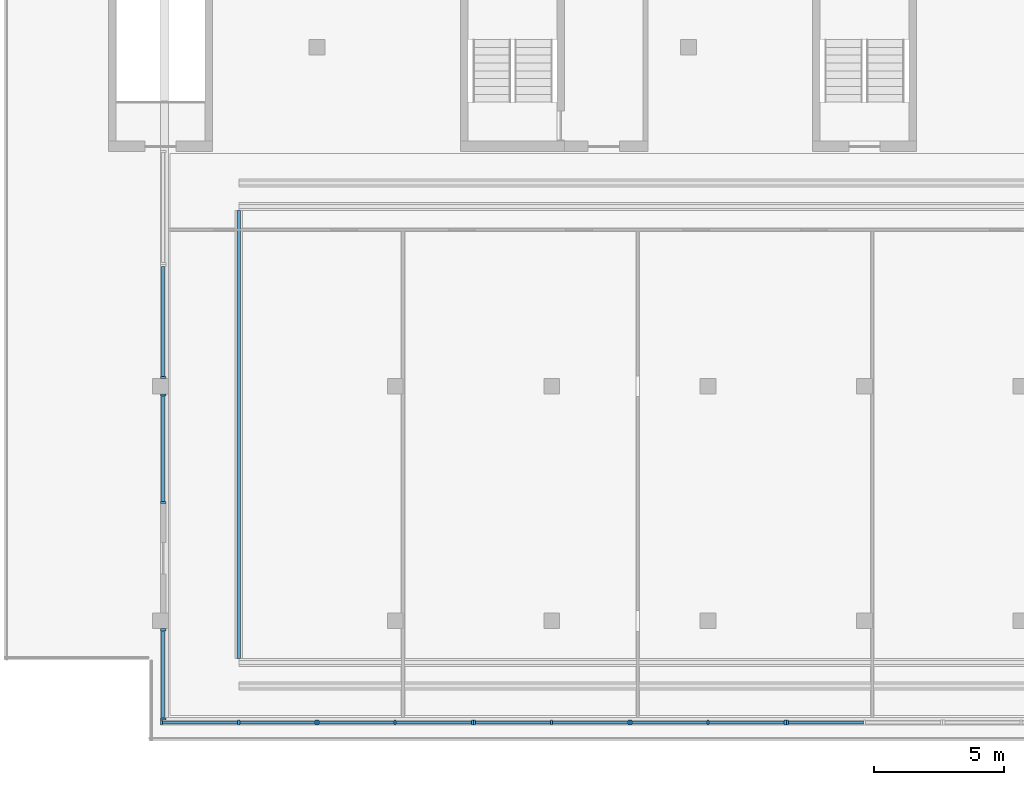
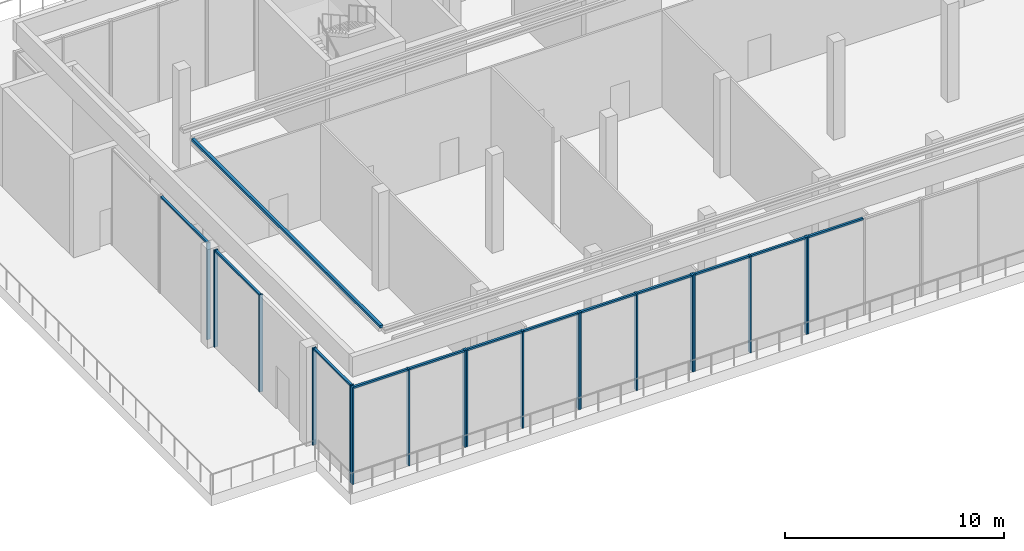
# One storey, part 2 of 11: 31 members, 8 elements without a shape of their own.
"""IFC4 building model written with IfcOpenShell, lengths in metres."""

import ifcopenshell
import ifcopenshell.guid

model = None  # the IFC model being written
_history = None  # IfcOwnerHistory: only IFC2X3 demands one
_inside = {}  # id of a spatial element -> (the spatial element, [elements in it])
_under = {}  # id of a project, library or spatial element -> (it, [spatial elements below it])
_declared = {}  # id of a project -> (the project, [libraries it declares])
_typed = {}  # id of a type object -> (the type object, [elements of that type])
_made_of = {}  # id of a material, layer set ... -> (it, [elements and type objects made of it])


def new_model(schema):
    """Start an empty IFC model of exactly this schema.

    Asked for "IFC4X3", IfcOpenShell would pick the latest addendum, in which some entities
    have other attributes; the version numbers below select the first issue.
    IFC2X3 requires an IfcOwnerHistory on every rooted entity: one is made here for all.
    """
    global model, _history
    if schema == "IFC4X3":
        model = ifcopenshell.file(schema_version=(4, 3, 0, 0))
    else:
        model = ifcopenshell.file(schema=schema)
    _inside.clear()
    _under.clear()
    _declared.clear()
    _typed.clear()
    _made_of.clear()
    _history = None
    if model.schema == "IFC2X3":
        org = make("IfcOrganization", Name="unknown")
        user = make(
            "IfcPersonAndOrganization",
            ThePerson=make("IfcPerson", FamilyName="unknown"),
            TheOrganization=org,
        )
        app = make(
            "IfcApplication",
            ApplicationDeveloper=org,
            Version="unknown",
            ApplicationFullName="unknown",
            ApplicationIdentifier="unknown",
        )
        _history = make(
            "IfcOwnerHistory",
            OwningUser=user,
            OwningApplication=app,
            ChangeAction="ADDED",
            CreationDate=0,
        )
    return model


def make(cls, **values):
    """One entity of the class cls with the attributes given. An attribute that is None is left unset."""
    return model.create_entity(
        cls, **{name: value for name, value in values.items() if value is not None}
    )


def rooted(cls, **values):
    """An entity with a GlobalId (a new one), such as an element, a storey or a relation."""
    return make(cls, GlobalId=ifcopenshell.guid.new(), OwnerHistory=_history, **values)


def si_unit(unit_type, name, prefix=None):
    """IfcSIUnit, for example si_unit("LENGTHUNIT", "METRE", prefix="MILLI")."""
    return make("IfcSIUnit", UnitType=unit_type, Prefix=prefix, Name=name)


def assignment(units):
    """IfcUnitAssignment: the units of a project."""
    return None if units is None else make("IfcUnitAssignment", Units=units)


def point(xyz):
    """IfcCartesianPoint."""
    return None if xyz is None else make("IfcCartesianPoint", Coordinates=xyz)


def direction(xyz):
    """IfcDirection."""
    return None if xyz is None else make("IfcDirection", DirectionRatios=xyz)


def frame(location, z_axis=None, x_axis=None):
    """IfcAxis2Placement3D, a coordinate frame: its origin and axes. An axis left out is left unset."""
    return make(
        "IfcAxis2Placement3D",
        Location=point(location),
        Axis=direction(z_axis),
        RefDirection=direction(x_axis),
    )


def frame_2d(location, x_axis=None):
    """IfcAxis2Placement2D, a coordinate frame in the plane: its origin and x axis."""
    return make(
        "IfcAxis2Placement2D", Location=point(location), RefDirection=direction(x_axis)
    )


def origin():
    """The frame at (0, 0, 0) with its axes left unset."""
    return frame((0.0, 0.0, 0.0))


def origin_2d():
    """The frame at (0, 0) in the plane with its x axis left unset."""
    return frame_2d((0.0, 0.0))


def place(relative_to, where):
    """IfcLocalPlacement: puts the frame where relative to a parent placement (None: the world)."""
    return make(
        "IfcLocalPlacement", PlacementRelTo=relative_to, RelativePlacement=where
    )


def context(
    kind, dimensions, precision=None, world=None, true_north=None, identifier=None
):
    """IfcGeometricRepresentationContext, for example the 3D "Model" context."""
    return make(
        "IfcGeometricRepresentationContext",
        ContextIdentifier=identifier,
        ContextType=kind,
        CoordinateSpaceDimension=dimensions,
        Precision=precision,
        WorldCoordinateSystem=world,
        TrueNorth=true_north,
    )


def subcontext(parent, identifier, kind, view, scale=None):
    """IfcGeometricRepresentationSubContext, for example "Body" below "Model"."""
    return make(
        "IfcGeometricRepresentationSubContext",
        ContextIdentifier=identifier,
        ContextType=kind,
        ParentContext=parent,
        TargetScale=scale,
        TargetView=view,
    )


def project(units=None, contexts=None):
    """IfcProject with its units and contexts."""
    return rooted(
        "IfcProject",
        Name="project",
        RepresentationContexts=contexts,
        UnitsInContext=assignment(units),
    )


def spatial(cls, under=None, at=None, **own):
    """A site, building, storey or space (cls), placed at a placement, below another one or the project."""
    s = rooted(cls, ObjectPlacement=at, **own)
    if under is not None:
        _under.setdefault(under.id(), (under, []))[1].append(s)
    return s


def profile(cls, at=None, kind="AREA", **sizes):
    """A parametric profile (cls). Its sizes go by their IFC names, for example OverallWidth=200.0."""
    return make(cls, ProfileType=kind, Position=at, **sizes)


def rectangle(**sizes):
    """IfcRectangleProfileDef."""
    return profile("IfcRectangleProfileDef", **sizes)


def extrude(swept, where, along, depth):
    """IfcExtrudedAreaSolid: the profile swept, set in the frame where, extruded along a direction by depth."""
    return make(
        "IfcExtrudedAreaSolid",
        SweptArea=swept,
        Position=where,
        ExtrudedDirection=direction(along),
        Depth=depth,
    )


def shape(context_of_items, identifier, shape_type, items):
    """IfcShapeRepresentation: the items that make up one representation, for example the "Body"."""
    return make(
        "IfcShapeRepresentation",
        ContextOfItems=context_of_items,
        RepresentationIdentifier=identifier,
        RepresentationType=shape_type,
        Items=items,
    )


def material(Name=None, Category=None):
    """IfcMaterial."""
    return make("IfcMaterial", Name=Name, Category=Category)


def material_profile(
    of_material, cross_section, Name=None, Category=None, Priority=None
):
    """IfcMaterialProfile: a cross section and its material."""
    return make(
        "IfcMaterialProfile",
        Name=Name,
        Material=of_material,
        Profile=cross_section,
        Priority=Priority,
        Category=Category,
    )


def profile_set(profiles, Name=None, composite=None):
    """IfcMaterialProfileSet."""
    return make(
        "IfcMaterialProfileSet",
        Name=Name,
        MaterialProfiles=profiles,
        CompositeProfile=composite,
    )


def made_of(thing, what):
    """Note that an element or type object is made of a material, layer set ...; save() writes the relation."""
    if what is not None:
        _made_of.setdefault(what.id(), (what, []))[1].append(thing)
    return thing


def type_object(cls, material=None, **own):
    """A type object (cls), such as IfcWallType, which elements share."""
    return made_of(rooted(cls, **own), material)


def element(
    cls,
    number,
    at=None,
    inside=None,
    cuts=None,
    type_object=None,
    material=None,
    context=None,
    identifier="Body",
    shape_type=None,
    held_by="IfcProductDefinitionShape",
    body=None,
    shapes=None,
    **own,
):
    """One element of the class cls, such as IfcWall. Its Tag is "e" and its number.

    at: its placement. inside: the storey or other place that contains it. cuts: it is an
    opening in that element (IfcRelVoidsElement). A single representation is given by context,
    identifier, shape_type and body (its items); several are given by shapes. held_by: the class
    of the entity that holds the representations. save() writes the other relations.
    """
    e = rooted(cls, Tag="e%d" % number, ObjectPlacement=at, **own)
    if body is not None:
        shapes = [shape(context, identifier, shape_type, body)]
    if shapes is not None:
        e.Representation = make(held_by, Representations=shapes)
    if inside is not None:
        _inside.setdefault(inside.id(), (inside, []))[1].append(e)
    if cuts is not None:
        rooted(
            "IfcRelVoidsElement", RelatingBuildingElement=cuts, RelatedOpeningElement=e
        )
    if type_object is not None:
        _typed.setdefault(type_object.id(), (type_object, []))[1].append(e)
    return made_of(e, material)


def aggregate(whole, parts):
    """IfcRelAggregates: a whole, such as a stair, and the parts it consists of."""
    return rooted("IfcRelAggregates", RelatingObject=whole, RelatedObjects=parts)


def save(model, path):
    """Write the relations noted so far, then the file.

    IfcRelAggregates (storeys below a building ...), IfcRelContainedInSpatialStructure (elements
    in a storey), IfcRelDefinesByType, IfcRelAssociatesMaterial and IfcRelDeclares: one each for
    every whole, place, type object, material and project.
    """
    for whole, parts in _under.values():
        aggregate(whole, parts)
    for where, things in _inside.values():
        rooted(
            "IfcRelContainedInSpatialStructure",
            RelatedElements=things,
            RelatingStructure=where,
        )
    for kind, things in _typed.values():
        rooted("IfcRelDefinesByType", RelatedObjects=things, RelatingType=kind)
    for what, things in _made_of.values():
        rooted("IfcRelAssociatesMaterial", RelatedObjects=things, RelatingMaterial=what)
    for by, libraries in _declared.values():
        rooted("IfcRelDeclares", RelatingContext=by, RelatedDefinitions=libraries)
    model.write(path)


model = new_model("IFC4")

# Units and contexts
model_context = context("Model", 3, precision=1e-05, world=origin(), true_north=direction((0.0, 1.0)))
body_context = subcontext(model_context, "Body", "Model", "MODEL_VIEW")
ifc_project = project(units=[si_unit("LENGTHUNIT", "METRE"), si_unit("AREAUNIT", "SQUARE_METRE"), si_unit("VOLUMEUNIT", "CUBIC_METRE"), si_unit("PLANEANGLEUNIT", "RADIAN"), si_unit("MASSUNIT", "GRAM", prefix="KILO")], contexts=[model_context])

# Site, building, storey
site_placement = place(None, origin())
site = spatial("IfcSite", under=ifc_project, at=site_placement, CompositionType="ELEMENT")
building_placement = place(site_placement, origin())
building = spatial("IfcBuilding", under=site, at=building_placement, Name="Calvaro Tower", CompositionType="ELEMENT")
storey_placement = place(building_placement, frame((0.0, 0.0, 271.949951171875)))
storey = spatial("IfcBuildingStorey", under=building, at=storey_placement, Name="L68", CompositionType="ELEMENT", Elevation=271.949951171875)

# Member
ifc_material_1 = material(Name="Steel S355", Category="steel")
ifc_material_profile_1 = material_profile(ifc_material_1, rectangle(XDim=0.14990234375, YDim=0.14990234375, at=origin_2d()), Name="BMU rail 150")
ifc_profile_set_1 = profile_set([ifc_material_profile_1], Name="Steel S355")
member_type_1 = type_object("IfcMemberType", Name="BMU rail 150", PredefinedType="USERDEFINED", material=ifc_profile_set_1)
member_1_placement = place(storey_placement, frame((15.0, 8.550048828125, 6.22509765625), z_axis=(0.0, 1.0, 0.0), x_axis=(-1.0, 0.0, 0.0)))
element("IfcMember", 1, at=member_1_placement, inside=storey, type_object=member_type_1, Name="BMU rail", ObjectType="BMU RAIL", PredefinedType="USERDEFINED", context=body_context, shape_type="SweptSolid", body=[
    extrude(rectangle(XDim=0.14990234375, YDim=0.14990234375, at=origin_2d()), origin(), (0.0, 0.0, 1.0), 17.199951171875),
])

# Curtain wall, members
ifc_material_2 = material(Name="Anodised aluminium", Category="aluminium")
curtain_wall_type = type_object("IfcCurtainWallType", Name="Louvre wall", PredefinedType="NOTDEFINED", material=ifc_material_2)
curtain_wall_1_placement = place(storey_placement, origin())
curtain_wall_1 = element("IfcCurtainWall", 2, at=curtain_wall_1_placement, inside=storey, type_object=curtain_wall_type, Name="CW8 drum louvre wall", PredefinedType="NOTDEFINED")
ifc_material_3 = material(Name="Anodised aluminium", Category="aluminium")
ifc_material_profile_2 = material_profile(ifc_material_3, rectangle(XDim=0.199951171875, YDim=0.080078125, at=origin_2d()), Name="Mullion LV 80 x 200")
ifc_profile_set_2 = profile_set([ifc_material_profile_2], Name="Anodised aluminium")
member_type_2 = type_object("IfcMemberType", Name="Mullion LV 80 x 200", PredefinedType="MULLION", material=ifc_profile_set_2)
member_2_placement = place(storey_placement, frame((12.0400390625, 6.10009765625, 0.0), z_axis=(0.0, 0.0, 1.0), x_axis=(0.0, 1.0, 0.0)))
member_2 = element("IfcMember", 3, at=member_2_placement, type_object=member_type_2, Name="CW8 mullion 1", PredefinedType="MULLION", context=body_context, shape_type="SweptSolid", body=[
    extrude(rectangle(XDim=0.199951171875, YDim=0.080078125, at=origin_2d()), origin(), (0.0, 0.0, 1.0), 5.400146484375),
])
member_3_placement = place(storey_placement, frame((15.0, 6.10009765625, 0.0), z_axis=(0.0, 0.0, 1.0), x_axis=(0.0, 1.0, 0.0)))
member_3 = element("IfcMember", 4, at=member_3_placement, type_object=member_type_2, Name="CW8 mullion 2", PredefinedType="MULLION", context=body_context, shape_type="SweptSolid", body=[
    extrude(rectangle(XDim=0.199951171875, YDim=0.080078125, at=origin_2d()), origin(), (0.0, 0.0, 1.0), 5.400146484375),
])
member_4_placement = place(storey_placement, frame((17.9599609375, 6.10009765625, 0.0), z_axis=(0.0, 0.0, 1.0), x_axis=(0.0, 1.0, 0.0)))
member_4 = element("IfcMember", 5, at=member_4_placement, type_object=member_type_2, Name="CW8 mullion 3", PredefinedType="MULLION", context=body_context, shape_type="SweptSolid", body=[
    extrude(rectangle(XDim=0.199951171875, YDim=0.080078125, at=origin_2d()), origin(), (0.0, 0.0, 1.0), 5.400146484375),
])

curtain_wall_2_placement = place(storey_placement, origin())
curtain_wall_2 = element("IfcCurtainWall", 6, at=curtain_wall_2_placement, inside=storey, type_object=curtain_wall_type, Name="CW8 drum louvre wall", PredefinedType="NOTDEFINED")
member_5_placement = place(storey_placement, frame((18.0400390625, 6.10009765625, 0.0), z_axis=(0.0, 0.0, 1.0), x_axis=(0.0, 1.0, 0.0)))
member_5 = element("IfcMember", 7, at=member_5_placement, type_object=member_type_2, Name="CW8 mullion 1", PredefinedType="MULLION", context=body_context, shape_type="SweptSolid", body=[
    extrude(rectangle(XDim=0.199951171875, YDim=0.080078125, at=origin_2d()), origin(), (0.0, 0.0, 1.0), 5.400146484375),
])
member_6_placement = place(storey_placement, frame((21.0, 6.10009765625, 0.0), z_axis=(0.0, 0.0, 1.0), x_axis=(0.0, 1.0, 0.0)))
member_6 = element("IfcMember", 8, at=member_6_placement, type_object=member_type_2, Name="CW8 mullion 2", PredefinedType="MULLION", context=body_context, shape_type="SweptSolid", body=[
    extrude(rectangle(XDim=0.199951171875, YDim=0.080078125, at=origin_2d()), origin(), (0.0, 0.0, 1.0), 5.400146484375),
])
member_7_placement = place(storey_placement, frame((23.9599609375, 6.10009765625, 0.0), z_axis=(0.0, 0.0, 1.0), x_axis=(0.0, 1.0, 0.0)))
member_7 = element("IfcMember", 9, at=member_7_placement, type_object=member_type_2, Name="CW8 mullion 3", PredefinedType="MULLION", context=body_context, shape_type="SweptSolid", body=[
    extrude(rectangle(XDim=0.199951171875, YDim=0.080078125, at=origin_2d()), origin(), (0.0, 0.0, 1.0), 5.400146484375),
])

curtain_wall_3_placement = place(storey_placement, origin())
curtain_wall_3 = element("IfcCurtainWall", 10, at=curtain_wall_3_placement, inside=storey, type_object=curtain_wall_type, Name="CW8 drum louvre wall", PredefinedType="NOTDEFINED")
member_8_placement = place(storey_placement, frame((24.0400390625, 6.10009765625, 0.0), z_axis=(0.0, 0.0, 1.0), x_axis=(0.0, 1.0, 0.0)))
member_8 = element("IfcMember", 11, at=member_8_placement, type_object=member_type_2, Name="CW8 mullion 1", PredefinedType="MULLION", context=body_context, shape_type="SweptSolid", body=[
    extrude(rectangle(XDim=0.199951171875, YDim=0.080078125, at=origin_2d()), origin(), (0.0, 0.0, 1.0), 5.400146484375),
])
member_9_placement = place(storey_placement, frame((27.0, 6.10009765625, 0.0), z_axis=(0.0, 0.0, 1.0), x_axis=(0.0, 1.0, 0.0)))
member_9 = element("IfcMember", 12, at=member_9_placement, type_object=member_type_2, Name="CW8 mullion 2", PredefinedType="MULLION", context=body_context, shape_type="SweptSolid", body=[
    extrude(rectangle(XDim=0.199951171875, YDim=0.080078125, at=origin_2d()), origin(), (0.0, 0.0, 1.0), 5.400146484375),
])
member_10_placement = place(storey_placement, frame((29.9599609375, 6.10009765625, 0.0), z_axis=(0.0, 0.0, 1.0), x_axis=(0.0, 1.0, 0.0)))
member_10 = element("IfcMember", 13, at=member_10_placement, type_object=member_type_2, Name="CW8 mullion 3", PredefinedType="MULLION", context=body_context, shape_type="SweptSolid", body=[
    extrude(rectangle(XDim=0.199951171875, YDim=0.080078125, at=origin_2d()), origin(), (0.0, 0.0, 1.0), 5.400146484375),
])

curtain_wall_4_placement = place(storey_placement, origin())
curtain_wall_4 = element("IfcCurtainWall", 14, at=curtain_wall_4_placement, inside=storey, type_object=curtain_wall_type, Name="CW8 drum louvre wall", PredefinedType="NOTDEFINED")
member_11_placement = place(storey_placement, frame((30.0400390625, 6.10009765625, 0.0), z_axis=(0.0, 0.0, 1.0), x_axis=(0.0, 1.0, 0.0)))
member_11 = element("IfcMember", 15, at=member_11_placement, type_object=member_type_2, Name="CW8 mullion 1", PredefinedType="MULLION", context=body_context, shape_type="SweptSolid", body=[
    extrude(rectangle(XDim=0.199951171875, YDim=0.080078125, at=origin_2d()), origin(), (0.0, 0.0, 1.0), 5.400146484375),
])
member_12_placement = place(storey_placement, frame((33.0, 6.10009765625, 0.0), z_axis=(0.0, 0.0, 1.0), x_axis=(0.0, 1.0, 0.0)))
member_12 = element("IfcMember", 16, at=member_12_placement, type_object=member_type_2, Name="CW8 mullion 2", PredefinedType="MULLION", context=body_context, shape_type="SweptSolid", body=[
    extrude(rectangle(XDim=0.199951171875, YDim=0.080078125, at=origin_2d()), origin(), (0.0, 0.0, 1.0), 5.400146484375),
])
member_13_placement = place(storey_placement, frame((35.9599609375, 6.10009765625, 0.0), z_axis=(0.0, 0.0, 1.0), x_axis=(0.0, 1.0, 0.0)))
member_13 = element("IfcMember", 17, at=member_13_placement, type_object=member_type_2, Name="CW8 mullion 3", PredefinedType="MULLION", context=body_context, shape_type="SweptSolid", body=[
    extrude(rectangle(XDim=0.199951171875, YDim=0.080078125, at=origin_2d()), origin(), (0.0, 0.0, 1.0), 5.400146484375),
])

# Curtain wall, member
curtain_wall_5_placement = place(storey_placement, origin())
curtain_wall_5 = element("IfcCurtainWall", 18, at=curtain_wall_5_placement, inside=storey, type_object=curtain_wall_type, Name="CW8 drum louvre wall", PredefinedType="NOTDEFINED")
member_14_placement = place(storey_placement, frame((36.0400390625, 6.10009765625, 0.0), z_axis=(0.0, 0.0, 1.0), x_axis=(0.0, 1.0, 0.0)))
member_14 = element("IfcMember", 19, at=member_14_placement, type_object=member_type_2, Name="CW8 mullion 1", PredefinedType="MULLION", context=body_context, shape_type="SweptSolid", body=[
    extrude(rectangle(XDim=0.199951171875, YDim=0.080078125, at=origin_2d()), origin(), (0.0, 0.0, 1.0), 5.400146484375),
])

# Curtain wall, members
curtain_wall_6_placement = place(storey_placement, origin())
curtain_wall_6 = element("IfcCurtainWall", 20, at=curtain_wall_6_placement, inside=storey, type_object=curtain_wall_type, Name="CW8 drum louvre wall", PredefinedType="NOTDEFINED")
member_15_placement = place(storey_placement, frame((12.10009765625, 6.239990234375, 0.0), z_axis=(0.0, 0.0, 1.0), x_axis=(-1.0, 0.0, 0.0)))
member_15 = element("IfcMember", 21, at=member_15_placement, type_object=member_type_2, Name="CW8 mullion 1", PredefinedType="MULLION", context=body_context, shape_type="SweptSolid", body=[
    extrude(rectangle(XDim=0.199951171875, YDim=0.080078125, at=origin_2d()), origin(), (0.0, 0.0, 1.0), 5.400146484375),
])
member_16_placement = place(storey_placement, frame((12.10009765625, 9.659912109375, 0.0), z_axis=(0.0, 0.0, 1.0), x_axis=(-1.0, 0.0, 0.0)))
member_16 = element("IfcMember", 22, at=member_16_placement, type_object=member_type_2, Name="CW8 mullion 2", PredefinedType="MULLION", context=body_context, shape_type="SweptSolid", body=[
    extrude(rectangle(XDim=0.199951171875, YDim=0.080078125, at=origin_2d()), origin(), (0.0, 0.0, 1.0), 5.400146484375),
])

curtain_wall_7_placement = place(storey_placement, origin())
curtain_wall_7 = element("IfcCurtainWall", 23, at=curtain_wall_7_placement, inside=storey, type_object=curtain_wall_type, Name="CW8 drum louvre wall", PredefinedType="NOTDEFINED")
member_17_placement = place(storey_placement, frame((12.10009765625, 14.5400390625, 0.0), z_axis=(0.0, 0.0, 1.0), x_axis=(-1.0, 0.0, 0.0)))
member_17 = element("IfcMember", 24, at=member_17_placement, type_object=member_type_2, Name="CW8 mullion 1", PredefinedType="MULLION", context=body_context, shape_type="SweptSolid", body=[
    extrude(rectangle(XDim=0.199951171875, YDim=0.080078125, at=origin_2d()), origin(), (0.0, 0.0, 1.0), 5.400146484375),
])
member_18_placement = place(storey_placement, frame((12.10009765625, 18.659912109375, 0.0), z_axis=(0.0, 0.0, 1.0), x_axis=(-1.0, 0.0, 0.0)))
member_18 = element("IfcMember", 25, at=member_18_placement, type_object=member_type_2, Name="CW8 mullion 2", PredefinedType="MULLION", context=body_context, shape_type="SweptSolid", body=[
    extrude(rectangle(XDim=0.199951171875, YDim=0.080078125, at=origin_2d()), origin(), (0.0, 0.0, 1.0), 5.400146484375),
])

# Curtain wall, member
curtain_wall_8_placement = place(storey_placement, origin())
curtain_wall_8 = element("IfcCurtainWall", 26, at=curtain_wall_8_placement, inside=storey, type_object=curtain_wall_type, Name="CW8 drum louvre wall", PredefinedType="NOTDEFINED")
member_19_placement = place(storey_placement, frame((12.10009765625, 19.340087890625, 0.0), z_axis=(0.0, 0.0, 1.0), x_axis=(-1.0, 0.0, 0.0)))
member_19 = element("IfcMember", 27, at=member_19_placement, type_object=member_type_2, Name="CW8 mullion 1", PredefinedType="MULLION", context=body_context, shape_type="SweptSolid", body=[
    extrude(rectangle(XDim=0.199951171875, YDim=0.080078125, at=origin_2d()), origin(), (0.0, 0.0, 1.0), 5.400146484375),
])

# Member
ifc_material_4 = material(Name="Anodised aluminium", Category="aluminium")
ifc_material_profile_3 = material_profile(ifc_material_4, rectangle(XDim=0.1201171875, YDim=0.10009765625, at=origin_2d()), Name="Transom LV 100 x 120")
ifc_profile_set_3 = profile_set([ifc_material_profile_3], Name="Anodised aluminium")
member_type_3 = type_object("IfcMemberType", Name="Transom LV 100 x 120", PredefinedType="USERDEFINED", material=ifc_profile_set_3)
member_20_placement = place(storey_placement, frame((12.080078125, 6.10009765625, 5.35009765625), z_axis=(1.0, 0.0, 0.0), x_axis=(0.0, 1.0, 0.0)))
member_20 = element("IfcMember", 28, at=member_20_placement, type_object=member_type_3, Name="CW8 transom 1.1", ObjectType="TRANSOM", PredefinedType="USERDEFINED", context=body_context, shape_type="SweptSolid", body=[
    extrude(rectangle(XDim=0.1201171875, YDim=0.10009765625, at=origin_2d()), origin(), (0.0, 0.0, 1.0), 2.8798828125),
])

member_21_placement = place(storey_placement, frame((15.0400390625, 6.10009765625, 5.35009765625), z_axis=(1.0, 0.0, 0.0), x_axis=(0.0, 1.0, 0.0)))
member_21 = element("IfcMember", 29, at=member_21_placement, type_object=member_type_3, Name="CW8 transom 2.1", ObjectType="TRANSOM", PredefinedType="USERDEFINED", context=body_context, shape_type="SweptSolid", body=[
    extrude(rectangle(XDim=0.1201171875, YDim=0.10009765625, at=origin_2d()), origin(), (0.0, 0.0, 1.0), 2.8798828125),
])

aggregate(curtain_wall_1, [member_2, member_3, member_4, member_20, member_21])

member_22_placement = place(storey_placement, frame((18.080078125, 6.10009765625, 5.35009765625), z_axis=(1.0, 0.0, 0.0), x_axis=(0.0, 1.0, 0.0)))
member_22 = element("IfcMember", 30, at=member_22_placement, type_object=member_type_3, Name="CW8 transom 1.1", ObjectType="TRANSOM", PredefinedType="USERDEFINED", context=body_context, shape_type="SweptSolid", body=[
    extrude(rectangle(XDim=0.1201171875, YDim=0.10009765625, at=origin_2d()), origin(), (0.0, 0.0, 1.0), 2.8798828125),
])

member_23_placement = place(storey_placement, frame((21.0400390625, 6.10009765625, 5.35009765625), z_axis=(1.0, 0.0, 0.0), x_axis=(0.0, 1.0, 0.0)))
member_23 = element("IfcMember", 31, at=member_23_placement, type_object=member_type_3, Name="CW8 transom 2.1", ObjectType="TRANSOM", PredefinedType="USERDEFINED", context=body_context, shape_type="SweptSolid", body=[
    extrude(rectangle(XDim=0.1201171875, YDim=0.10009765625, at=origin_2d()), origin(), (0.0, 0.0, 1.0), 2.8798828125),
])

aggregate(curtain_wall_2, [member_5, member_6, member_7, member_22, member_23])

member_24_placement = place(storey_placement, frame((24.080078125, 6.10009765625, 5.35009765625), z_axis=(1.0, 0.0, 0.0), x_axis=(0.0, 1.0, 0.0)))
member_24 = element("IfcMember", 32, at=member_24_placement, type_object=member_type_3, Name="CW8 transom 1.1", ObjectType="TRANSOM", PredefinedType="USERDEFINED", context=body_context, shape_type="SweptSolid", body=[
    extrude(rectangle(XDim=0.1201171875, YDim=0.10009765625, at=origin_2d()), origin(), (0.0, 0.0, 1.0), 2.8798828125),
])

member_25_placement = place(storey_placement, frame((27.0400390625, 6.10009765625, 5.35009765625), z_axis=(1.0, 0.0, 0.0), x_axis=(0.0, 1.0, 0.0)))
member_25 = element("IfcMember", 33, at=member_25_placement, type_object=member_type_3, Name="CW8 transom 2.1", ObjectType="TRANSOM", PredefinedType="USERDEFINED", context=body_context, shape_type="SweptSolid", body=[
    extrude(rectangle(XDim=0.1201171875, YDim=0.10009765625, at=origin_2d()), origin(), (0.0, 0.0, 1.0), 2.8798828125),
])

aggregate(curtain_wall_3, [member_8, member_9, member_10, member_24, member_25])

member_26_placement = place(storey_placement, frame((30.080078125, 6.10009765625, 5.35009765625), z_axis=(1.0, 0.0, 0.0), x_axis=(0.0, 1.0, 0.0)))
member_26 = element("IfcMember", 34, at=member_26_placement, type_object=member_type_3, Name="CW8 transom 1.1", ObjectType="TRANSOM", PredefinedType="USERDEFINED", context=body_context, shape_type="SweptSolid", body=[
    extrude(rectangle(XDim=0.1201171875, YDim=0.10009765625, at=origin_2d()), origin(), (0.0, 0.0, 1.0), 2.8798828125),
])

member_27_placement = place(storey_placement, frame((33.0400390625, 6.10009765625, 5.35009765625), z_axis=(1.0, 0.0, 0.0), x_axis=(0.0, 1.0, 0.0)))
member_27 = element("IfcMember", 35, at=member_27_placement, type_object=member_type_3, Name="CW8 transom 2.1", ObjectType="TRANSOM", PredefinedType="USERDEFINED", context=body_context, shape_type="SweptSolid", body=[
    extrude(rectangle(XDim=0.1201171875, YDim=0.10009765625, at=origin_2d()), origin(), (0.0, 0.0, 1.0), 2.8798828125),
])

aggregate(curtain_wall_4, [member_11, member_12, member_13, member_26, member_27])

member_28_placement = place(storey_placement, frame((36.080078125, 6.10009765625, 5.35009765625), z_axis=(1.0, 0.0, 0.0), x_axis=(0.0, 1.0, 0.0)))
member_28 = element("IfcMember", 36, at=member_28_placement, type_object=member_type_3, Name="CW8 transom 1.1", ObjectType="TRANSOM", PredefinedType="USERDEFINED", context=body_context, shape_type="SweptSolid", body=[
    extrude(rectangle(XDim=0.1201171875, YDim=0.10009765625, at=origin_2d()), origin(), (0.0, 0.0, 1.0), 2.8798828125),
])

aggregate(curtain_wall_5, [member_14, member_28])

member_29_placement = place(storey_placement, frame((12.10009765625, 6.280029296875, 5.35009765625), z_axis=(0.0, 1.0, 0.0), x_axis=(-1.0, 0.0, 0.0)))
member_29 = element("IfcMember", 37, at=member_29_placement, type_object=member_type_3, Name="CW8 transom 1.1", ObjectType="TRANSOM", PredefinedType="USERDEFINED", context=body_context, shape_type="SweptSolid", body=[
    extrude(rectangle(XDim=0.1201171875, YDim=0.10009765625, at=origin_2d()), origin(), (0.0, 0.0, 1.0), 3.340087890625),
])

aggregate(curtain_wall_6, [member_15, member_16, member_29])

member_30_placement = place(storey_placement, frame((12.10009765625, 14.580078125, 5.35009765625), z_axis=(0.0, 1.0, 0.0), x_axis=(-1.0, 0.0, 0.0)))
member_30 = element("IfcMember", 38, at=member_30_placement, type_object=member_type_3, Name="CW8 transom 1.1", ObjectType="TRANSOM", PredefinedType="USERDEFINED", context=body_context, shape_type="SweptSolid", body=[
    extrude(rectangle(XDim=0.1201171875, YDim=0.10009765625, at=origin_2d()), origin(), (0.0, 0.0, 1.0), 4.0400390625),
])

aggregate(curtain_wall_7, [member_17, member_18, member_30])

member_31_placement = place(storey_placement, frame((12.10009765625, 19.3798828125, 5.35009765625), z_axis=(0.0, 1.0, 0.0), x_axis=(-1.0, 0.0, 0.0)))
member_31 = element("IfcMember", 39, at=member_31_placement, type_object=member_type_3, Name="CW8 transom 1.1", ObjectType="TRANSOM", PredefinedType="USERDEFINED", context=body_context, shape_type="SweptSolid", body=[
    extrude(rectangle(XDim=0.1201171875, YDim=0.10009765625, at=origin_2d()), origin(), (0.0, 0.0, 1.0), 4.215087890625),
])

aggregate(curtain_wall_8, [member_19, member_31])

save(model, "model.ifc")
